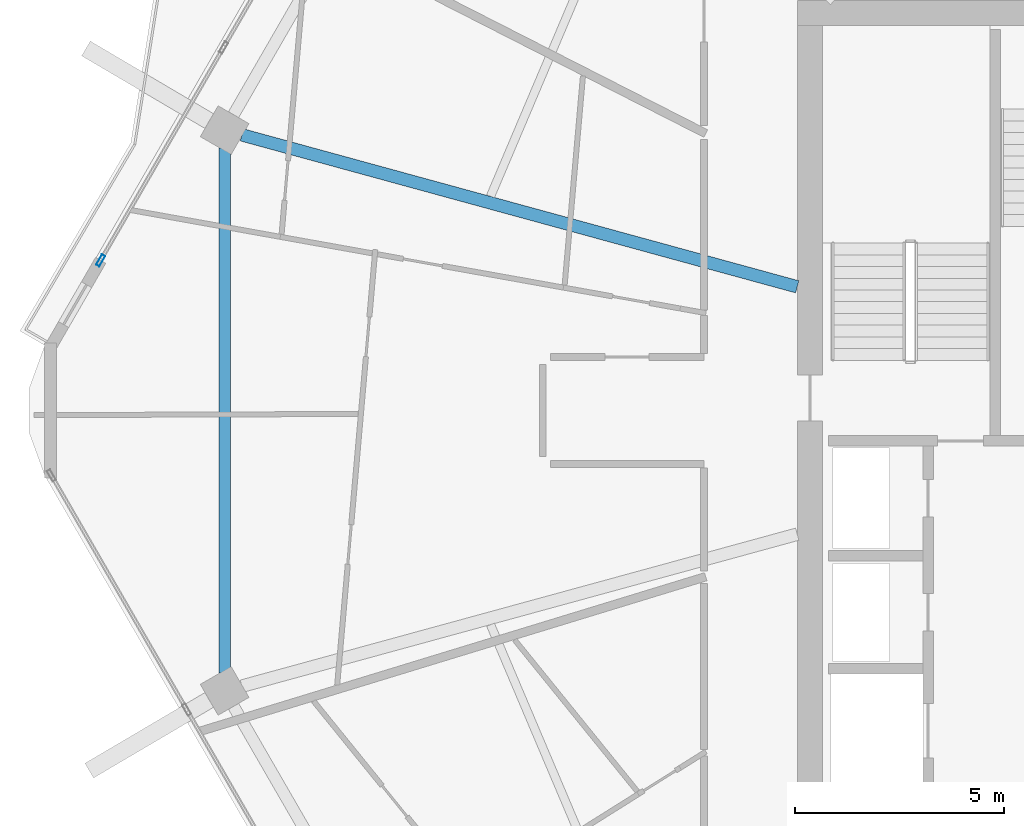
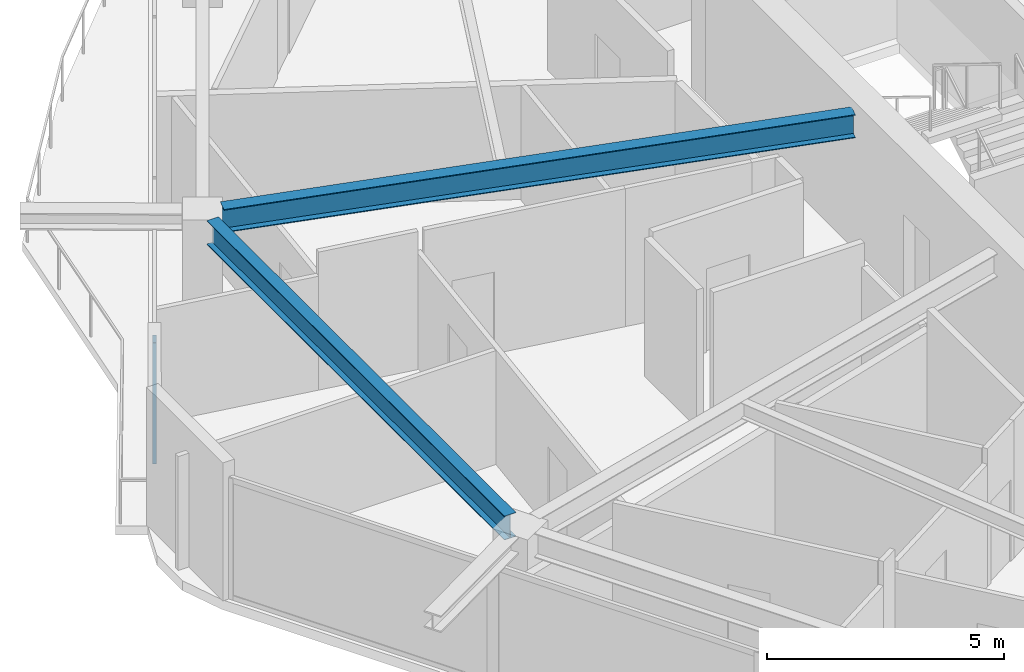
# One storey, part 6 of 26: 2 beams, 1 member, 1 element without a shape of its own.
"""IFC4 building model written with IfcOpenShell, lengths in metres."""

from ifc_helpers import new_model, si_unit, direction, frame, origin, origin_2d, place, context, subcontext, project, spatial, hollow_rectangle, i_section, extrude, material, material_profile, profile_set, type_object, element, aggregate, save


model = new_model("IFC4")

# Units and contexts
model_context = context("Model", 3, precision=1e-05, world=origin(), true_north=direction((0.0, 1.0)))
body_context = subcontext(model_context, "Body", "Model", "MODEL_VIEW")
ifc_project = project(units=[si_unit("LENGTHUNIT", "METRE"), si_unit("AREAUNIT", "SQUARE_METRE"), si_unit("VOLUMEUNIT", "CUBIC_METRE"), si_unit("PLANEANGLEUNIT", "RADIAN"), si_unit("MASSUNIT", "GRAM", prefix="KILO")], contexts=[model_context])

# Site, building, storey
site_placement = place(None, origin())
site = spatial("IfcSite", under=ifc_project, at=site_placement, CompositionType="ELEMENT")
building_placement = place(site_placement, origin())
building = spatial("IfcBuilding", under=site, at=building_placement, Name="Zuhravey Tower", CompositionType="ELEMENT")
storey_placement = place(building_placement, frame((0.0, 0.0, 280.60009765625)))
storey = spatial("IfcBuildingStorey", under=building, at=storey_placement, Name="L71", CompositionType="ELEMENT", Elevation=280.60009765625)

# Curtain wall, member
ifc_material_1 = material(Name="Thermally broken anodised aluminium", Category="aluminium")
curtain_wall_type = type_object("IfcCurtainWallType", Name="Zone 3-4 High-Rise Curtain Wall CW4", PredefinedType="NOTDEFINED", material=ifc_material_1)
curtain_wall_placement = place(storey_placement, origin())
curtain_wall = element("IfcCurtainWall", 1, at=curtain_wall_placement, inside=storey, type_object=curtain_wall_type, Name="L71 CW4 CW-L71-F3-1", PredefinedType="NOTDEFINED")
ifc_material_2 = material(Name="Anodised aluminium", Category="aluminium")
ifc_material_profile_1 = material_profile(ifc_material_2, hollow_rectangle(XDim=0.090087890625, YDim=0.284912109375, WallThickness=0.0048828125, at=origin_2d()), Name="ALU-RHS-90x285x5")
ifc_profile_set_1 = profile_set([ifc_material_profile_1], Name="Anodised aluminium")
member_type = type_object("IfcMemberType", Name="Curtain-Wall Mullion 90x180", PredefinedType="MULLION", material=ifc_profile_set_1)
member_placement = place(storey_placement, frame((8.552490234375, 35.586669921875, 0.0), z_axis=(0.0, 0.0, 1.0), x_axis=(-0.866024370591, 0.500001789539, 0.0)))
member = element("IfcMember", 2, at=member_placement, type_object=member_type, Name="CW4 mullion 1", PredefinedType="MULLION", context=body_context, shape_type="SweptSolid", body=[
    extrude(hollow_rectangle(XDim=0.090087890625, YDim=0.284912109375, WallThickness=0.0048828125, at=origin_2d()), origin(), (0.0, 0.0, 1.0), 3.121826171875),
])
aggregate(curtain_wall, [member])

# Beams
ifc_material_3 = material(Name="Steel SM355", Category="steel")
ifc_material_profile_2 = material_profile(ifc_material_3, i_section(OverallWidth=0.280029296875, OverallDepth=0.6201171875, WebThickness=0.011962890625, FlangeThickness=0.02001953125, at=origin_2d()), Name="H-620x280x12x20")
ifc_profile_set_2 = profile_set([ifc_material_profile_2], Name="Steel SM355")
beam_type_1 = type_object("IfcBeamType", Name="Perimeter Ring Beam H620x280", PredefinedType="BEAM", material=ifc_profile_set_2)
beam_1_placement = place(storey_placement, frame((11.515380859375, 38.27099609375, 3.239990234375), z_axis=(0.0, -1.0, 0.0), x_axis=(1.0, 0.0, 0.0)))
element("IfcBeam", 3, at=beam_1_placement, inside=storey, type_object=beam_type_1, Name="L71 PB3 BM-L71-PB-06", PredefinedType="BEAM", context=body_context, shape_type="SweptSolid", body=[
    extrude(i_section(OverallWidth=0.280029296875, OverallDepth=0.6201171875, WebThickness=0.011962890625, FlangeThickness=0.02001953125, at=origin_2d()), origin(), (0.0, 0.0, 1.0), 12.5419921875),
])
ifc_material_profile_3 = material_profile(ifc_material_3, i_section(OverallWidth=0.300048828125, OverallDepth=0.60009765625, WebThickness=0.011962890625, FlangeThickness=0.02001953125, at=origin_2d()), Name="H-600x300x12x20")
ifc_profile_set_3 = profile_set([ifc_material_profile_3], Name="Steel SM355")
beam_type_2 = type_object("IfcBeamType", Name="Radial Primary Girder H600x300", PredefinedType="BEAM", material=ifc_profile_set_3)
beam_2_placement = place(storey_placement, frame((25.197021484375, 34.95556640625, 3.25), z_axis=(-0.964549305009, 0.263902705947, 0.0), x_axis=(-0.263902705947, -0.964549305009, 0.0)))
element("IfcBeam", 4, at=beam_2_placement, inside=storey, type_object=beam_type_2, Name="L71 RG3 BM-L71-RAD-06", PredefinedType="BEAM", context=body_context, shape_type="SweptSolid", body=[
    extrude(i_section(OverallWidth=0.300048828125, OverallDepth=0.60009765625, WebThickness=0.011962890625, FlangeThickness=0.02001953125, at=origin_2d()), origin(), (0.0, 0.0, 1.0), 13.756591796875),
])

save(model, "model.ifc")
